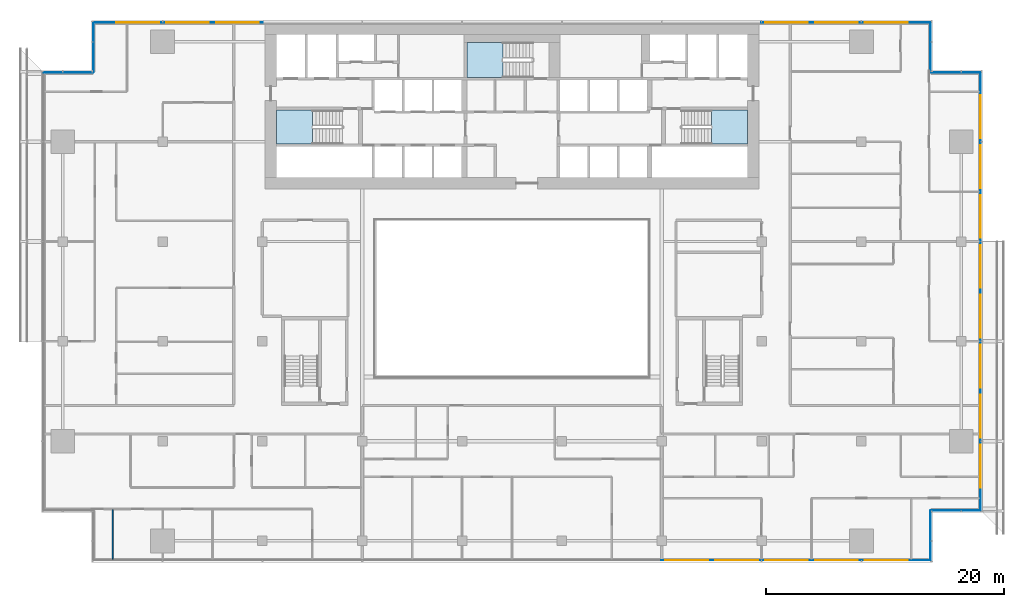
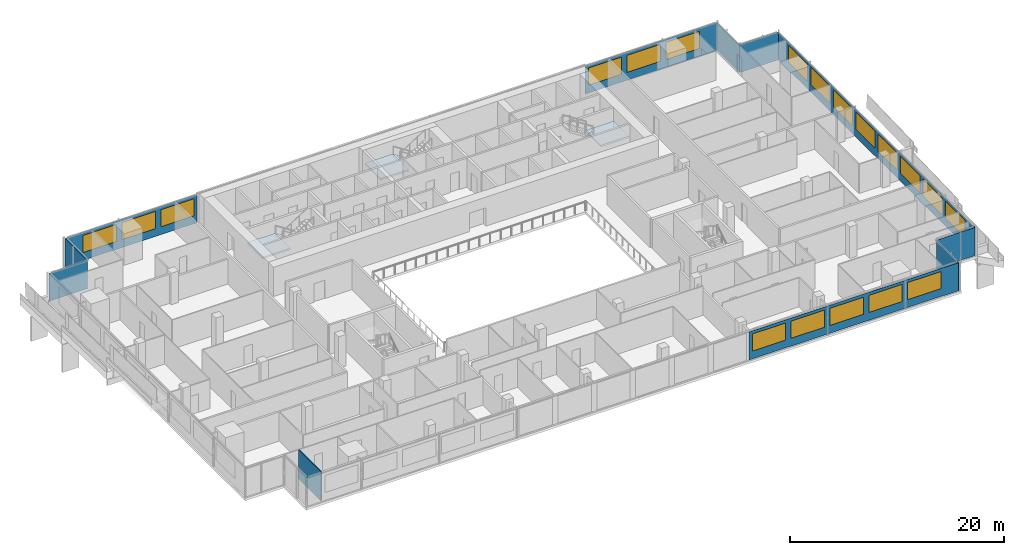
# One storey, part 15 of 25: 19 windows, 10 plates, 3 slabs, 1 wall, 19 openings, 12 elements without a shape of their own.
"""IFC4 building model written with IfcOpenShell, lengths in metres."""

from ifc_helpers import new_model, si_unit, direction, frame, frame_2d, origin, place, context, subcontext, project, spatial, polyline, rectangle, outline, extrude, material, layer, layer_set, type_object, element, fill, aggregate, save


model = new_model("IFC4")

# Units and contexts
model_context = context("Model", 3, precision=1e-05, world=origin(), true_north=direction((0.0, 1.0)))
body_context = subcontext(model_context, "Body", "Model", "MODEL_VIEW")
ifc_project = project(units=[si_unit("LENGTHUNIT", "METRE"), si_unit("AREAUNIT", "SQUARE_METRE"), si_unit("VOLUMEUNIT", "CUBIC_METRE"), si_unit("PLANEANGLEUNIT", "RADIAN"), si_unit("MASSUNIT", "GRAM", prefix="KILO")], contexts=[model_context])

# Site, building, storey
site_placement = place(None, origin())
site = spatial("IfcSite", under=ifc_project, at=site_placement, CompositionType="ELEMENT")
building_placement = place(site_placement, origin())
building = spatial("IfcBuilding", under=site, at=building_placement, Name="Saffron Gate Tower", CompositionType="ELEMENT")
storey_placement = place(building_placement, frame((0.0, 0.0, 131.25)))
storey = spatial("IfcBuildingStorey", under=building, at=storey_placement, Name="L31", CompositionType="ELEMENT", Elevation=131.25)

# Curtain wall, plate, openings, windows
ifc_material_1 = material(Name="Aluminium, bronze anodised", Category="aluminium")
curtain_wall_type_1 = type_object("IfcCurtainWallType", Name="CWS1 curtain wall front facade", PredefinedType="NOTDEFINED", material=ifc_material_1)
curtain_wall_1_placement = place(storey_placement, origin())
curtain_wall_1 = element("IfcCurtainWall", 1, at=curtain_wall_1_placement, inside=storey, type_object=curtain_wall_type_1, Name="CWS1 run 1", PredefinedType="NOTDEFINED")
ifc_material_2 = material(Name="Fritted bronze-tinted laminated glass", Category="glass")
ifc_layer_1 = layer(ifc_material_2, 0.028076171875)
ifc_layer_set_1 = layer_set([ifc_layer_1], Name="CWS1 fixed glass")
plate_type_1 = type_object("IfcPlateType", Name="CWS1 fixed glass", PredefinedType="CURTAIN_PANEL", material=ifc_layer_set_1)
plate_1_placement = place(storey_placement, frame((100.169921875, 30.174072265625, 0.0), z_axis=(0.0, 0.0, 1.0), x_axis=(1.0, 0.0, 0.0)))
plate_1 = element("IfcPlate", 2, at=plate_1_placement, type_object=plate_type_1, Name="CWS1 glass panel", PredefinedType="CURTAIN_PANEL", context=body_context, shape_type="SweptSolid", body=[
    extrude(rectangle(XDim=22.64208984375, YDim=0.028076171875, at=frame_2d((11.321044921875, 0.0))), origin(), (0.0, 0.0, 1.0), 3.199951171875),
])
opening_1_placement = place(plate_1_placement, frame((0.330078125, 0.0, 0.89990234375)))
opening_1 = element("IfcOpeningElement", 3, at=opening_1_placement, cuts=plate_1, Name="Opening W1", PredefinedType="OPENING", context=body_context, shape_type="SweptSolid", body=[
    extrude(rectangle(XDim=3.60009765625, YDim=1.949951171875, at=frame_2d((1.800048828125, 0.97509765625))), frame((0.0, 0.02392578125, 0.0), z_axis=(0.0, -1.0, 0.0), x_axis=(1.0, 0.0, 0.0)), (0.0, 0.0, 1.0), 0.048095703125),
])
opening_2_placement = place(plate_1_placement, frame((4.530029296875, 0.0, 0.89990234375)))
opening_2 = element("IfcOpeningElement", 4, at=opening_2_placement, cuts=plate_1, Name="Opening W1", PredefinedType="OPENING", context=body_context, shape_type="SweptSolid", body=[
    extrude(rectangle(XDim=3.60009765625, YDim=1.949951171875, at=frame_2d((1.800048828125, 0.97509765625))), frame((0.0, 0.02392578125, 0.0), z_axis=(0.0, -1.0, 0.0), x_axis=(1.0, 0.0, 0.0)), (0.0, 0.0, 1.0), 0.048095703125),
])
opening_3_placement = place(plate_1_placement, frame((8.72998046875, 0.0, 0.89990234375)))
opening_3 = element("IfcOpeningElement", 5, at=opening_3_placement, cuts=plate_1, Name="Opening W1", PredefinedType="OPENING", context=body_context, shape_type="SweptSolid", body=[
    extrude(rectangle(XDim=3.60009765625, YDim=1.949951171875, at=frame_2d((1.800048828125, 0.97509765625))), frame((0.0, 0.02392578125, 0.0), z_axis=(0.0, -1.0, 0.0), x_axis=(1.0, 0.0, 0.0)), (0.0, 0.0, 1.0), 0.048095703125),
])
opening_4_placement = place(plate_1_placement, frame((12.929931640625, 0.0, 0.89990234375)))
opening_4 = element("IfcOpeningElement", 6, at=opening_4_placement, cuts=plate_1, Name="Opening W1", PredefinedType="OPENING", context=body_context, shape_type="SweptSolid", body=[
    extrude(rectangle(XDim=3.60009765625, YDim=1.949951171875, at=frame_2d((1.800048828125, 0.97509765625))), frame((0.0, 0.02392578125, 0.0), z_axis=(0.0, -1.0, 0.0), x_axis=(1.0, 0.0, 0.0)), (0.0, 0.0, 1.0), 0.048095703125),
])
opening_5_placement = place(plate_1_placement, frame((17.1298828125, 0.0, 0.89990234375)))
opening_5 = element("IfcOpeningElement", 7, at=opening_5_placement, cuts=plate_1, Name="Opening W1", PredefinedType="OPENING", context=body_context, shape_type="SweptSolid", body=[
    extrude(rectangle(XDim=3.60009765625, YDim=1.949951171875, at=frame_2d((1.800048828125, 0.97509765625))), frame((0.0, 0.02392578125, 0.0), z_axis=(0.0, -1.0, 0.0), x_axis=(1.0, 0.0, 0.0)), (0.0, 0.0, 1.0), 0.048095703125),
])
ifc_material_3 = material(Name="Fritted bronze-tinted laminated glass in bronze frame", Category="glass")
ifc_layer_2 = layer(ifc_material_3, 0.06005859375)
ifc_layer_set_2 = layer_set([ifc_layer_2], Name="W1 operable panel 3600x1950")
window_type = type_object("IfcWindowType", Name="W1 operable panel 3600x1950", PartitioningType="DOUBLE_PANEL_HORIZONTAL", PredefinedType="WINDOW", material=ifc_layer_set_2)
window_1_placement = place(opening_1_placement, origin())
window_1 = element("IfcWindow", 8, at=window_1_placement, type_object=window_type, Name="W1 operable panel", OverallHeight=1.949951171875, OverallWidth=3.60009765625, PartitioningType="SINGLE_PANEL", PredefinedType="WINDOW", context=body_context, shape_type="SweptSolid", body=[
    extrude(rectangle(XDim=3.60009765625, YDim=1.949951171875, at=frame_2d((1.800048828125, 0.97509765625))), frame((0.0, 0.013671875, 0.0), z_axis=(0.0, -1.0, 0.0), x_axis=(1.0, 0.0, 0.0)), (0.0, 0.0, 1.0), 0.027587890625),
])
fill(opening_1, window_1)
window_2_placement = place(opening_2_placement, origin())
window_2 = element("IfcWindow", 9, at=window_2_placement, type_object=window_type, Name="W1 operable panel", OverallHeight=1.949951171875, OverallWidth=3.60009765625, PartitioningType="SINGLE_PANEL", PredefinedType="WINDOW", context=body_context, shape_type="SweptSolid", body=[
    extrude(rectangle(XDim=3.60009765625, YDim=1.949951171875, at=frame_2d((1.800048828125, 0.97509765625))), frame((0.0, 0.013671875, 0.0), z_axis=(0.0, -1.0, 0.0), x_axis=(1.0, 0.0, 0.0)), (0.0, 0.0, 1.0), 0.027587890625),
])
fill(opening_2, window_2)
window_3_placement = place(opening_3_placement, origin())
window_3 = element("IfcWindow", 10, at=window_3_placement, type_object=window_type, Name="W1 operable panel", OverallHeight=1.949951171875, OverallWidth=3.60009765625, PartitioningType="SINGLE_PANEL", PredefinedType="WINDOW", context=body_context, shape_type="SweptSolid", body=[
    extrude(rectangle(XDim=3.60009765625, YDim=1.949951171875, at=frame_2d((1.800048828125, 0.97509765625))), frame((0.0, 0.013671875, 0.0), z_axis=(0.0, -1.0, 0.0), x_axis=(1.0, 0.0, 0.0)), (0.0, 0.0, 1.0), 0.027587890625),
])
fill(opening_3, window_3)
window_4_placement = place(opening_4_placement, origin())
window_4 = element("IfcWindow", 11, at=window_4_placement, type_object=window_type, Name="W1 operable panel", OverallHeight=1.949951171875, OverallWidth=3.60009765625, PartitioningType="SINGLE_PANEL", PredefinedType="WINDOW", context=body_context, shape_type="SweptSolid", body=[
    extrude(rectangle(XDim=3.60009765625, YDim=1.949951171875, at=frame_2d((1.800048828125, 0.97509765625))), frame((0.0, 0.013671875, 0.0), z_axis=(0.0, -1.0, 0.0), x_axis=(1.0, 0.0, 0.0)), (0.0, 0.0, 1.0), 0.027587890625),
])
fill(opening_4, window_4)
window_5_placement = place(opening_5_placement, origin())
window_5 = element("IfcWindow", 12, at=window_5_placement, type_object=window_type, Name="W1 operable panel", OverallHeight=1.949951171875, OverallWidth=3.60009765625, PartitioningType="SINGLE_PANEL", PredefinedType="WINDOW", context=body_context, shape_type="SweptSolid", body=[
    extrude(rectangle(XDim=3.60009765625, YDim=1.949951171875, at=frame_2d((1.800048828125, 0.97509765625))), frame((0.0, 0.013671875, 0.0), z_axis=(0.0, -1.0, 0.0), x_axis=(1.0, 0.0, 0.0)), (0.0, 0.0, 1.0), 0.027587890625),
])
fill(opening_5, window_5)
aggregate(curtain_wall_1, [plate_1, window_1, window_2, window_3, window_4, window_5])

curtain_wall_type_2 = type_object("IfcCurtainWallType", Name="CWS2 curtain wall side facades", PredefinedType="NOTDEFINED", material=ifc_material_1)
curtain_wall_2_placement = place(storey_placement, origin())
curtain_wall_2 = element("IfcCurtainWall", 13, at=curtain_wall_2_placement, inside=storey, type_object=curtain_wall_type_2, Name="CWS2 run 4", PredefinedType="NOTDEFINED")
ifc_layer_3 = layer(ifc_material_2, 0.028076171875)
ifc_layer_set_3 = layer_set([ifc_layer_3], Name="CWS2 fixed glass")
plate_type_2 = type_object("IfcPlateType", Name="CWS2 fixed glass", PredefinedType="CURTAIN_PANEL", material=ifc_layer_set_3)
plate_2_placement = place(storey_placement, frame((127.02587890625, 34.387939453125, 0.0), z_axis=(0.0, 0.0, 1.0), x_axis=(0.0, 1.0, 0.0)))
plate_2 = element("IfcPlate", 14, at=plate_2_placement, type_object=plate_type_2, Name="CWS2 glass panel", PredefinedType="CURTAIN_PANEL", context=body_context, shape_type="SweptSolid", body=[
    extrude(rectangle(XDim=36.823974609375, YDim=0.028076171875, at=frame_2d((18.412109375, 0.0))), origin(), (0.0, 0.0, 1.0), 3.199951171875),
])
opening_6_placement = place(plate_2_placement, frame((1.912109375, 0.0, 0.89990234375)))
opening_6 = element("IfcOpeningElement", 15, at=opening_6_placement, cuts=plate_2, Name="Opening W1", PredefinedType="OPENING", context=body_context, shape_type="SweptSolid", body=[
    extrude(rectangle(XDim=3.60009765625, YDim=1.949951171875, at=frame_2d((1.800048828125, 0.97509765625))), frame((0.0, 0.02392578125, 0.0), z_axis=(0.0, -1.0, 0.0), x_axis=(1.0, 0.0, 0.0)), (0.0, 0.0, 1.0), 0.048095703125),
])
opening_7_placement = place(plate_2_placement, frame((6.112060546875, 0.0, 0.89990234375)))
opening_7 = element("IfcOpeningElement", 16, at=opening_7_placement, cuts=plate_2, Name="Opening W1", PredefinedType="OPENING", context=body_context, shape_type="SweptSolid", body=[
    extrude(rectangle(XDim=3.60009765625, YDim=1.949951171875, at=frame_2d((1.800048828125, 0.97509765625))), frame((0.0, 0.02392578125, 0.0), z_axis=(0.0, -1.0, 0.0), x_axis=(1.0, 0.0, 0.0)), (0.0, 0.0, 1.0), 0.048095703125),
])
opening_8_placement = place(plate_2_placement, frame((10.31201171875, 0.0, 0.89990234375)))
opening_8 = element("IfcOpeningElement", 17, at=opening_8_placement, cuts=plate_2, Name="Opening W1", PredefinedType="OPENING", context=body_context, shape_type="SweptSolid", body=[
    extrude(rectangle(XDim=3.60009765625, YDim=1.949951171875, at=frame_2d((1.800048828125, 0.97509765625))), frame((0.0, 0.02392578125, 0.0), z_axis=(0.0, -1.0, 0.0), x_axis=(1.0, 0.0, 0.0)), (0.0, 0.0, 1.0), 0.048095703125),
])
opening_9_placement = place(plate_2_placement, frame((14.511962890625, 0.0, 0.89990234375)))
opening_9 = element("IfcOpeningElement", 18, at=opening_9_placement, cuts=plate_2, Name="Opening W1", PredefinedType="OPENING", context=body_context, shape_type="SweptSolid", body=[
    extrude(rectangle(XDim=3.60009765625, YDim=1.949951171875, at=frame_2d((1.800048828125, 0.97509765625))), frame((0.0, 0.02392578125, 0.0), z_axis=(0.0, -1.0, 0.0), x_axis=(1.0, 0.0, 0.0)), (0.0, 0.0, 1.0), 0.048095703125),
])
opening_10_placement = place(plate_2_placement, frame((18.7119140625, 0.0, 0.89990234375)))
opening_10 = element("IfcOpeningElement", 19, at=opening_10_placement, cuts=plate_2, Name="Opening W1", PredefinedType="OPENING", context=body_context, shape_type="SweptSolid", body=[
    extrude(rectangle(XDim=3.60009765625, YDim=1.949951171875, at=frame_2d((1.800048828125, 0.97509765625))), frame((0.0, 0.02392578125, 0.0), z_axis=(0.0, -1.0, 0.0), x_axis=(1.0, 0.0, 0.0)), (0.0, 0.0, 1.0), 0.048095703125),
])
opening_11_placement = place(plate_2_placement, frame((22.912109375, 0.0, 0.89990234375)))
opening_11 = element("IfcOpeningElement", 20, at=opening_11_placement, cuts=plate_2, Name="Opening W1", PredefinedType="OPENING", context=body_context, shape_type="SweptSolid", body=[
    extrude(rectangle(XDim=3.60009765625, YDim=1.949951171875, at=frame_2d((1.800048828125, 0.97509765625))), frame((0.0, 0.02392578125, 0.0), z_axis=(0.0, -1.0, 0.0), x_axis=(1.0, 0.0, 0.0)), (0.0, 0.0, 1.0), 0.048095703125),
])
opening_12_placement = place(plate_2_placement, frame((27.112060546875, 0.0, 0.89990234375)))
opening_12 = element("IfcOpeningElement", 21, at=opening_12_placement, cuts=plate_2, Name="Opening W1", PredefinedType="OPENING", context=body_context, shape_type="SweptSolid", body=[
    extrude(rectangle(XDim=3.60009765625, YDim=1.949951171875, at=frame_2d((1.800048828125, 0.97509765625))), frame((0.0, 0.02392578125, 0.0), z_axis=(0.0, -1.0, 0.0), x_axis=(1.0, 0.0, 0.0)), (0.0, 0.0, 1.0), 0.048095703125),
])
opening_13_placement = place(plate_2_placement, frame((31.31201171875, 0.0, 0.89990234375)))
opening_13 = element("IfcOpeningElement", 22, at=opening_13_placement, cuts=plate_2, Name="Opening W1", PredefinedType="OPENING", context=body_context, shape_type="SweptSolid", body=[
    extrude(rectangle(XDim=3.60009765625, YDim=1.949951171875, at=frame_2d((1.800048828125, 0.97509765625))), frame((0.0, 0.02392578125, 0.0), z_axis=(0.0, -1.0, 0.0), x_axis=(1.0, 0.0, 0.0)), (0.0, 0.0, 1.0), 0.048095703125),
])
window_6_placement = place(opening_6_placement, origin())
window_6 = element("IfcWindow", 23, at=window_6_placement, type_object=window_type, Name="W1 operable panel", OverallHeight=1.949951171875, OverallWidth=3.60009765625, PartitioningType="SINGLE_PANEL", PredefinedType="WINDOW", context=body_context, shape_type="SweptSolid", body=[
    extrude(rectangle(XDim=3.60009765625, YDim=1.949951171875, at=frame_2d((1.800048828125, 0.97509765625))), frame((0.0, 0.013671875, 0.0), z_axis=(0.0, -1.0, 0.0), x_axis=(1.0, 0.0, 0.0)), (0.0, 0.0, 1.0), 0.027587890625),
])
fill(opening_6, window_6)
window_7_placement = place(opening_7_placement, origin())
window_7 = element("IfcWindow", 24, at=window_7_placement, type_object=window_type, Name="W1 operable panel", OverallHeight=1.949951171875, OverallWidth=3.60009765625, PartitioningType="SINGLE_PANEL", PredefinedType="WINDOW", context=body_context, shape_type="SweptSolid", body=[
    extrude(rectangle(XDim=3.60009765625, YDim=1.949951171875, at=frame_2d((1.800048828125, 0.97509765625))), frame((0.0, 0.013671875, 0.0), z_axis=(0.0, -1.0, 0.0), x_axis=(1.0, 0.0, 0.0)), (0.0, 0.0, 1.0), 0.027587890625),
])
fill(opening_7, window_7)
window_8_placement = place(opening_8_placement, origin())
window_8 = element("IfcWindow", 25, at=window_8_placement, type_object=window_type, Name="W1 operable panel", OverallHeight=1.949951171875, OverallWidth=3.60009765625, PartitioningType="SINGLE_PANEL", PredefinedType="WINDOW", context=body_context, shape_type="SweptSolid", body=[
    extrude(rectangle(XDim=3.60009765625, YDim=1.949951171875, at=frame_2d((1.800048828125, 0.97509765625))), frame((0.0, 0.013671875, 0.0), z_axis=(0.0, -1.0, 0.0), x_axis=(1.0, 0.0, 0.0)), (0.0, 0.0, 1.0), 0.027587890625),
])
fill(opening_8, window_8)
window_9_placement = place(opening_9_placement, origin())
window_9 = element("IfcWindow", 26, at=window_9_placement, type_object=window_type, Name="W1 operable panel", OverallHeight=1.949951171875, OverallWidth=3.60009765625, PartitioningType="SINGLE_PANEL", PredefinedType="WINDOW", context=body_context, shape_type="SweptSolid", body=[
    extrude(rectangle(XDim=3.60009765625, YDim=1.949951171875, at=frame_2d((1.800048828125, 0.97509765625))), frame((0.0, 0.013671875, 0.0), z_axis=(0.0, -1.0, 0.0), x_axis=(1.0, 0.0, 0.0)), (0.0, 0.0, 1.0), 0.027587890625),
])
fill(opening_9, window_9)
window_10_placement = place(opening_10_placement, origin())
window_10 = element("IfcWindow", 27, at=window_10_placement, type_object=window_type, Name="W1 operable panel", OverallHeight=1.949951171875, OverallWidth=3.60009765625, PartitioningType="SINGLE_PANEL", PredefinedType="WINDOW", context=body_context, shape_type="SweptSolid", body=[
    extrude(rectangle(XDim=3.60009765625, YDim=1.949951171875, at=frame_2d((1.800048828125, 0.97509765625))), frame((0.0, 0.013671875, 0.0), z_axis=(0.0, -1.0, 0.0), x_axis=(1.0, 0.0, 0.0)), (0.0, 0.0, 1.0), 0.027587890625),
])
fill(opening_10, window_10)
window_11_placement = place(opening_11_placement, origin())
window_11 = element("IfcWindow", 28, at=window_11_placement, type_object=window_type, Name="W1 operable panel", OverallHeight=1.949951171875, OverallWidth=3.60009765625, PartitioningType="SINGLE_PANEL", PredefinedType="WINDOW", context=body_context, shape_type="SweptSolid", body=[
    extrude(rectangle(XDim=3.60009765625, YDim=1.949951171875, at=frame_2d((1.800048828125, 0.97509765625))), frame((0.0, 0.013671875, 0.0), z_axis=(0.0, -1.0, 0.0), x_axis=(1.0, 0.0, 0.0)), (0.0, 0.0, 1.0), 0.027587890625),
])
fill(opening_11, window_11)
window_12_placement = place(opening_12_placement, origin())
window_12 = element("IfcWindow", 29, at=window_12_placement, type_object=window_type, Name="W1 operable panel", OverallHeight=1.949951171875, OverallWidth=3.60009765625, PartitioningType="SINGLE_PANEL", PredefinedType="WINDOW", context=body_context, shape_type="SweptSolid", body=[
    extrude(rectangle(XDim=3.60009765625, YDim=1.949951171875, at=frame_2d((1.800048828125, 0.97509765625))), frame((0.0, 0.013671875, 0.0), z_axis=(0.0, -1.0, 0.0), x_axis=(1.0, 0.0, 0.0)), (0.0, 0.0, 1.0), 0.027587890625),
])
fill(opening_12, window_12)
window_13_placement = place(opening_13_placement, origin())
window_13 = element("IfcWindow", 30, at=window_13_placement, type_object=window_type, Name="W1 operable panel", OverallHeight=1.949951171875, OverallWidth=3.60009765625, PartitioningType="SINGLE_PANEL", PredefinedType="WINDOW", context=body_context, shape_type="SweptSolid", body=[
    extrude(rectangle(XDim=3.60009765625, YDim=1.949951171875, at=frame_2d((1.800048828125, 0.97509765625))), frame((0.0, 0.013671875, 0.0), z_axis=(0.0, -1.0, 0.0), x_axis=(1.0, 0.0, 0.0)), (0.0, 0.0, 1.0), 0.027587890625),
])
fill(opening_13, window_13)
aggregate(curtain_wall_2, [plate_2, window_6, window_7, window_8, window_9, window_10, window_11, window_12, window_13])

# Curtain wall, plates, openings, windows
curtain_wall_type_3 = type_object("IfcCurtainWallType", Name="CWS3 curtain wall rear facade", PredefinedType="NOTDEFINED", material=ifc_material_1)
curtain_wall_3_placement = place(storey_placement, origin())
curtain_wall_3 = element("IfcCurtainWall", 31, at=curtain_wall_3_placement, inside=storey, type_object=curtain_wall_type_3, Name="CWS3 run 7", PredefinedType="NOTDEFINED")
ifc_material_4 = material(Name="Fritted grey-tinted laminated glass", Category="glass")
ifc_layer_4 = layer(ifc_material_4, 0.028076171875)
ifc_layer_set_4 = layer_set([ifc_layer_4], Name="CWS3 fixed glass")
plate_type_3 = type_object("IfcPlateType", Name="CWS3 fixed glass", PredefinedType="CURTAIN_PANEL", material=ifc_layer_set_4)
plate_3_placement = place(storey_placement, frame((122.81201171875, 75.426025390625, 0.0), z_axis=(0.0, 0.0, 1.0), x_axis=(-1.0, 0.0, 0.0)))
plate_3 = element("IfcPlate", 32, at=plate_3_placement, type_object=plate_type_3, Name="CWS3 glass panel", PredefinedType="CURTAIN_PANEL", context=body_context, shape_type="SweptSolid", body=[
    extrude(rectangle(XDim=14.2470703125, YDim=0.028076171875, at=frame_2d((7.12353515625, 0.0))), origin(), (0.0, 0.0, 1.0), 3.199951171875),
])
opening_14_placement = place(plate_3_placement, frame((1.912109375, 0.0, 0.89990234375)))
opening_14 = element("IfcOpeningElement", 33, at=opening_14_placement, cuts=plate_3, Name="Opening W1", PredefinedType="OPENING", context=body_context, shape_type="SweptSolid", body=[
    extrude(rectangle(XDim=3.60009765625, YDim=1.949951171875, at=frame_2d((1.800048828125, 0.97509765625))), frame((0.0, 0.02392578125, 0.0), z_axis=(0.0, -1.0, 0.0), x_axis=(1.0, 0.0, 0.0)), (0.0, 0.0, 1.0), 0.048095703125),
])
opening_15_placement = place(plate_3_placement, frame((6.112060546875, 0.0, 0.89990234375)))
opening_15 = element("IfcOpeningElement", 34, at=opening_15_placement, cuts=plate_3, Name="Opening W1", PredefinedType="OPENING", context=body_context, shape_type="SweptSolid", body=[
    extrude(rectangle(XDim=3.60009765625, YDim=1.949951171875, at=frame_2d((1.800048828125, 0.97509765625))), frame((0.0, 0.02392578125, 0.0), z_axis=(0.0, -1.0, 0.0), x_axis=(1.0, 0.0, 0.0)), (0.0, 0.0, 1.0), 0.048095703125),
])
opening_16_placement = place(plate_3_placement, frame((10.31201171875, 0.0, 0.89990234375)))
opening_16 = element("IfcOpeningElement", 35, at=opening_16_placement, cuts=plate_3, Name="Opening W1", PredefinedType="OPENING", context=body_context, shape_type="SweptSolid", body=[
    extrude(rectangle(XDim=3.60009765625, YDim=1.949951171875, at=frame_2d((1.800048828125, 0.97509765625))), frame((0.0, 0.02392578125, 0.0), z_axis=(0.0, -1.0, 0.0), x_axis=(1.0, 0.0, 0.0)), (0.0, 0.0, 1.0), 0.048095703125),
])
window_14_placement = place(opening_14_placement, origin())
window_14 = element("IfcWindow", 36, at=window_14_placement, type_object=window_type, Name="W1 operable panel", OverallHeight=1.949951171875, OverallWidth=3.60009765625, PartitioningType="SINGLE_PANEL", PredefinedType="WINDOW", context=body_context, shape_type="SweptSolid", body=[
    extrude(rectangle(XDim=3.60009765625, YDim=1.949951171875, at=frame_2d((1.800048828125, 0.97509765625))), frame((0.0, 0.013671875, 0.0), z_axis=(0.0, -1.0, 0.0), x_axis=(1.0, 0.0, 0.0)), (0.0, 0.0, 1.0), 0.027587890625),
])
fill(opening_14, window_14)
window_15_placement = place(opening_15_placement, origin())
window_15 = element("IfcWindow", 37, at=window_15_placement, type_object=window_type, Name="W1 operable panel", OverallHeight=1.949951171875, OverallWidth=3.60009765625, PartitioningType="SINGLE_PANEL", PredefinedType="WINDOW", context=body_context, shape_type="SweptSolid", body=[
    extrude(rectangle(XDim=3.60009765625, YDim=1.949951171875, at=frame_2d((1.800048828125, 0.97509765625))), frame((0.0, 0.013671875, 0.0), z_axis=(0.0, -1.0, 0.0), x_axis=(1.0, 0.0, 0.0)), (0.0, 0.0, 1.0), 0.027587890625),
])
fill(opening_15, window_15)
window_16_placement = place(opening_16_placement, origin())
window_16 = element("IfcWindow", 38, at=window_16_placement, type_object=window_type, Name="W1 operable panel", OverallHeight=1.949951171875, OverallWidth=3.60009765625, PartitioningType="SINGLE_PANEL", PredefinedType="WINDOW", context=body_context, shape_type="SweptSolid", body=[
    extrude(rectangle(XDim=3.60009765625, YDim=1.949951171875, at=frame_2d((1.800048828125, 0.97509765625))), frame((0.0, 0.013671875, 0.0), z_axis=(0.0, -1.0, 0.0), x_axis=(1.0, 0.0, 0.0)), (0.0, 0.0, 1.0), 0.027587890625),
])
fill(opening_16, window_16)
plate_4_placement = place(storey_placement, frame((66.635009765625, 75.426025390625, 0.0), z_axis=(0.0, 0.0, 1.0), x_axis=(-1.0, 0.0, 0.0)))
plate_4 = element("IfcPlate", 39, at=plate_4_placement, type_object=plate_type_3, Name="CWS3 glass panel", PredefinedType="CURTAIN_PANEL", context=body_context, shape_type="SweptSolid", body=[
    extrude(rectangle(XDim=14.2470703125, YDim=0.028076171875, at=frame_2d((7.12353515625, 0.0))), origin(), (0.0, 0.0, 1.0), 3.199951171875),
])
opening_17_placement = place(plate_4_placement, frame((0.3349609375, 0.0, 0.89990234375)))
opening_17 = element("IfcOpeningElement", 40, at=opening_17_placement, cuts=plate_4, Name="Opening W1", PredefinedType="OPENING", context=body_context, shape_type="SweptSolid", body=[
    extrude(rectangle(XDim=3.60009765625, YDim=1.949951171875, at=frame_2d((1.800048828125, 0.97509765625))), frame((0.0, 0.02392578125, 0.0), z_axis=(0.0, -1.0, 0.0), x_axis=(1.0, 0.0, 0.0)), (0.0, 0.0, 1.0), 0.048095703125),
])
opening_18_placement = place(plate_4_placement, frame((4.534912109375, 0.0, 0.89990234375)))
opening_18 = element("IfcOpeningElement", 41, at=opening_18_placement, cuts=plate_4, Name="Opening W1", PredefinedType="OPENING", context=body_context, shape_type="SweptSolid", body=[
    extrude(rectangle(XDim=3.60009765625, YDim=1.949951171875, at=frame_2d((1.800048828125, 0.97509765625))), frame((0.0, 0.02392578125, 0.0), z_axis=(0.0, -1.0, 0.0), x_axis=(1.0, 0.0, 0.0)), (0.0, 0.0, 1.0), 0.048095703125),
])
opening_19_placement = place(plate_4_placement, frame((8.735107421875, 0.0, 0.89990234375)))
opening_19 = element("IfcOpeningElement", 42, at=opening_19_placement, cuts=plate_4, Name="Opening W1", PredefinedType="OPENING", context=body_context, shape_type="SweptSolid", body=[
    extrude(rectangle(XDim=3.60009765625, YDim=1.949951171875, at=frame_2d((1.800048828125, 0.97509765625))), frame((0.0, 0.02392578125, 0.0), z_axis=(0.0, -1.0, 0.0), x_axis=(1.0, 0.0, 0.0)), (0.0, 0.0, 1.0), 0.048095703125),
])
window_17_placement = place(opening_17_placement, origin())
window_17 = element("IfcWindow", 43, at=window_17_placement, type_object=window_type, Name="W1 operable panel", OverallHeight=1.949951171875, OverallWidth=3.60009765625, PartitioningType="SINGLE_PANEL", PredefinedType="WINDOW", context=body_context, shape_type="SweptSolid", body=[
    extrude(rectangle(XDim=3.60009765625, YDim=1.949951171875, at=frame_2d((1.800048828125, 0.97509765625))), frame((0.0, 0.013671875, 0.0), z_axis=(0.0, -1.0, 0.0), x_axis=(1.0, 0.0, 0.0)), (0.0, 0.0, 1.0), 0.027587890625),
])
fill(opening_17, window_17)
window_18_placement = place(opening_18_placement, origin())
window_18 = element("IfcWindow", 44, at=window_18_placement, type_object=window_type, Name="W1 operable panel", OverallHeight=1.949951171875, OverallWidth=3.60009765625, PartitioningType="SINGLE_PANEL", PredefinedType="WINDOW", context=body_context, shape_type="SweptSolid", body=[
    extrude(rectangle(XDim=3.60009765625, YDim=1.949951171875, at=frame_2d((1.800048828125, 0.97509765625))), frame((0.0, 0.013671875, 0.0), z_axis=(0.0, -1.0, 0.0), x_axis=(1.0, 0.0, 0.0)), (0.0, 0.0, 1.0), 0.027587890625),
])
fill(opening_18, window_18)
window_19_placement = place(opening_19_placement, origin())
window_19 = element("IfcWindow", 45, at=window_19_placement, type_object=window_type, Name="W1 operable panel", OverallHeight=1.949951171875, OverallWidth=3.60009765625, PartitioningType="SINGLE_PANEL", PredefinedType="WINDOW", context=body_context, shape_type="SweptSolid", body=[
    extrude(rectangle(XDim=3.60009765625, YDim=1.949951171875, at=frame_2d((1.800048828125, 0.97509765625))), frame((0.0, 0.013671875, 0.0), z_axis=(0.0, -1.0, 0.0), x_axis=(1.0, 0.0, 0.0)), (0.0, 0.0, 1.0), 0.027587890625),
])
fill(opening_19, window_19)
aggregate(curtain_wall_3, [plate_3, plate_4, window_14, window_15, window_16, window_17, window_18, window_19])

# Curtain wall, plate
curtain_wall_type_4 = type_object("IfcCurtainWallType", Name="CWS4 curtain wall corner returns", PredefinedType="NOTDEFINED", material=ifc_material_1)
curtain_wall_4_placement = place(storey_placement, origin())
curtain_wall_4 = element("IfcCurtainWall", 46, at=curtain_wall_4_placement, inside=storey, type_object=curtain_wall_type_4, Name="CWS4 run 2", PredefinedType="NOTDEFINED")
ifc_layer_5 = layer(ifc_material_2, 0.028076171875)
ifc_layer_set_5 = layer_set([ifc_layer_5], Name="CWS4 fixed glass")
plate_type_4 = type_object("IfcPlateType", Name="CWS4 fixed glass", PredefinedType="CURTAIN_PANEL", material=ifc_layer_set_5)
plate_5_placement = place(storey_placement, frame((122.825927734375, 30.18798828125, 0.0), z_axis=(0.0, 0.0, 1.0), x_axis=(0.0, 1.0, 0.0)))
plate_5 = element("IfcPlate", 47, at=plate_5_placement, type_object=plate_type_4, Name="CWS4 glass panel", PredefinedType="CURTAIN_PANEL", context=body_context, shape_type="SweptSolid", body=[
    extrude(rectangle(XDim=4.172119140625, YDim=0.028076171875, at=frame_2d((2.0859375, 0.0))), origin(), (0.0, 0.0, 1.0), 3.199951171875),
])
aggregate(curtain_wall_4, [plate_5])

curtain_wall_5_placement = place(storey_placement, origin())
curtain_wall_5 = element("IfcCurtainWall", 48, at=curtain_wall_5_placement, inside=storey, type_object=curtain_wall_type_4, Name="CWS4 run 3", PredefinedType="NOTDEFINED")
plate_6_placement = place(storey_placement, frame((122.840087890625, 34.3740234375, 0.0), z_axis=(0.0, 0.0, 1.0), x_axis=(1.0, 0.0, 0.0)))
plate_6 = element("IfcPlate", 49, at=plate_6_placement, type_object=plate_type_4, Name="CWS4 glass panel", PredefinedType="CURTAIN_PANEL", context=body_context, shape_type="SweptSolid", body=[
    extrude(rectangle(XDim=4.171875, YDim=0.028076171875, at=frame_2d((2.0859375, 0.0))), origin(), (0.0, 0.0, 1.0), 3.199951171875),
])
aggregate(curtain_wall_5, [plate_6])

curtain_wall_6_placement = place(storey_placement, origin())
curtain_wall_6 = element("IfcCurtainWall", 50, at=curtain_wall_6_placement, inside=storey, type_object=curtain_wall_type_4, Name="CWS4 run 5", PredefinedType="NOTDEFINED")
plate_7_placement = place(storey_placement, frame((127.011962890625, 71.22607421875, 0.0), z_axis=(0.0, 0.0, 1.0), x_axis=(-1.0, 0.0, 0.0)))
plate_7 = element("IfcPlate", 51, at=plate_7_placement, type_object=plate_type_4, Name="CWS4 glass panel", PredefinedType="CURTAIN_PANEL", context=body_context, shape_type="SweptSolid", body=[
    extrude(rectangle(XDim=4.171875, YDim=0.028076171875, at=frame_2d((2.0859375, 0.0))), origin(), (0.0, 0.0, 1.0), 3.199951171875),
])
aggregate(curtain_wall_6, [plate_7])

curtain_wall_7_placement = place(storey_placement, origin())
curtain_wall_7 = element("IfcCurtainWall", 52, at=curtain_wall_7_placement, inside=storey, type_object=curtain_wall_type_4, Name="CWS4 run 6", PredefinedType="NOTDEFINED")
plate_8_placement = place(storey_placement, frame((122.825927734375, 71.239990234375, 0.0), z_axis=(0.0, 0.0, 1.0), x_axis=(0.0, 1.0, 0.0)))
plate_8 = element("IfcPlate", 53, at=plate_8_placement, type_object=plate_type_4, Name="CWS4 glass panel", PredefinedType="CURTAIN_PANEL", context=body_context, shape_type="SweptSolid", body=[
    extrude(rectangle(XDim=4.172119140625, YDim=0.028076171875, at=frame_2d((2.0859375, 0.0))), origin(), (0.0, 0.0, 1.0), 3.199951171875),
])
aggregate(curtain_wall_7, [plate_8])

curtain_wall_8_placement = place(storey_placement, origin())
curtain_wall_8 = element("IfcCurtainWall", 54, at=curtain_wall_8_placement, inside=storey, type_object=curtain_wall_type_4, Name="CWS4 run 8", PredefinedType="NOTDEFINED")
plate_9_placement = place(storey_placement, frame((52.3740234375, 75.412109375, 0.0), z_axis=(0.0, 0.0, 1.0), x_axis=(0.0, -1.0, 0.0)))
plate_9 = element("IfcPlate", 55, at=plate_9_placement, type_object=plate_type_4, Name="CWS4 glass panel", PredefinedType="CURTAIN_PANEL", context=body_context, shape_type="SweptSolid", body=[
    extrude(rectangle(XDim=4.172119140625, YDim=0.028076171875, at=frame_2d((2.0859375, 0.0))), origin(), (0.0, 0.0, 1.0), 3.199951171875),
])
aggregate(curtain_wall_8, [plate_9])

curtain_wall_9_placement = place(storey_placement, origin())
curtain_wall_9 = element("IfcCurtainWall", 56, at=curtain_wall_9_placement, inside=storey, type_object=curtain_wall_type_4, Name="CWS4 run 9", PredefinedType="NOTDEFINED")
plate_10_placement = place(storey_placement, frame((52.360107421875, 71.22607421875, 0.0), z_axis=(0.0, 0.0, 1.0), x_axis=(-1.0, 0.0, 0.0)))
plate_10 = element("IfcPlate", 57, at=plate_10_placement, type_object=plate_type_4, Name="CWS4 glass panel", PredefinedType="CURTAIN_PANEL", context=body_context, shape_type="SweptSolid", body=[
    extrude(rectangle(XDim=4.172119140625, YDim=0.028076171875, at=frame_2d((2.0859375, 0.0))), origin(), (0.0, 0.0, 1.0), 3.199951171875),
])
aggregate(curtain_wall_9, [plate_10])

# Stair, slab
ifc_material_5 = material(Name="Concrete C40", Category="concrete")
stair_type = type_object("IfcStairType", Name="ST7 Stair 1350 wide, 20 risers of 180", PredefinedType="HALF_TURN_STAIR", material=ifc_material_5)
stair_1_placement = place(storey_placement, origin())
stair_1 = element("IfcStair", 58, at=stair_1_placement, inside=storey, type_object=stair_type, Name="L31 Exit stair A", PredefinedType="HALF_TURN_STAIR")
ifc_layer_6 = layer(ifc_material_5, 0.199951171875)
ifc_layer_set_6 = layer_set([ifc_layer_6], Name="SL1 Stair landing 200")
slab_type = type_object("IfcSlabType", Name="SL1 Stair landing 200", PredefinedType="LANDING", material=ifc_layer_set_6)
slab_1_placement = place(storey_placement, frame((0.0, 0.0, 1.60009765625)))
slab_1 = element("IfcSlab", 59, at=slab_1_placement, type_object=slab_type, Name="ST-A landing 1", PredefinedType="LANDING", context=body_context, shape_type="SweptSolid", body=[
    extrude(outline(polyline([(70.830078125, 68.050048828125), (67.800048828125, 68.050048828125), (67.800048828125, 65.199951171875), (70.830078125, 65.199951171875), (70.830078125, 68.050048828125)])), origin(), (0.0, 0.0, 1.0), 0.199951171875),
])
aggregate(stair_1, [slab_1])

stair_2_placement = place(storey_placement, origin())
stair_2 = element("IfcStair", 60, at=stair_2_placement, inside=storey, type_object=stair_type, Name="L31 Exit stair B", PredefinedType="HALF_TURN_STAIR")
slab_2_placement = place(storey_placement, frame((0.0, 0.0, 1.60009765625)))
slab_2 = element("IfcSlab", 61, at=slab_2_placement, type_object=slab_type, Name="ST-B landing 1", PredefinedType="LANDING", context=body_context, shape_type="SweptSolid", body=[
    extrude(outline(polyline([(104.3701171875, 65.199951171875), (107.39990234375, 65.199951171875), (107.39990234375, 68.050048828125), (104.3701171875, 68.050048828125), (104.3701171875, 65.199951171875)])), origin(), (0.0, 0.0, 1.0), 0.199951171875),
])
aggregate(stair_2, [slab_2])

stair_3_placement = place(storey_placement, origin())
stair_3 = element("IfcStair", 62, at=stair_3_placement, inside=storey, type_object=stair_type, Name="L31 Exit stair C", PredefinedType="HALF_TURN_STAIR")
slab_3_placement = place(storey_placement, frame((0.0, 0.0, 1.60009765625)))
slab_3 = element("IfcSlab", 63, at=slab_3_placement, type_object=slab_type, Name="ST-C landing 1", PredefinedType="LANDING", context=body_context, shape_type="SweptSolid", body=[
    extrude(outline(polyline([(86.830078125, 73.75), (83.800048828125, 73.75), (83.800048828125, 70.800048828125), (86.830078125, 70.800048828125), (86.830078125, 73.75)])), origin(), (0.0, 0.0, 1.0), 0.199951171875),
])
aggregate(stair_3, [slab_3])

# Wall
ifc_material_6 = material(Name="Plasterboard on steel studs", Category="steel")
ifc_layer_7 = layer(ifc_material_6, 0.10009765625)
ifc_layer_set_7 = layer_set([ifc_layer_7], Name="PW1 Partition 100")
wall_type = type_object("IfcWallType", Name="PW1 Partition 100", PredefinedType="PARTITIONING", material=ifc_layer_set_7)
wall_placement = place(storey_placement, frame((54.0, 34.449951171875, 0.0), z_axis=(0.0, 0.0, 1.0), x_axis=(0.0, -1.0, 0.0)))
element("IfcWall", 64, at=wall_placement, inside=storey, type_object=wall_type, Name="Partition B4-54", PredefinedType="PARTITIONING", context=body_context, shape_type="SweptSolid", body=[
    extrude(rectangle(XDim=4.169921875, YDim=0.10009765625, at=frame_2d((2.0849609375, 0.0))), origin(), (0.0, 0.0, 1.0), 3.320068359375),
])

save(model, "model.ifc")
